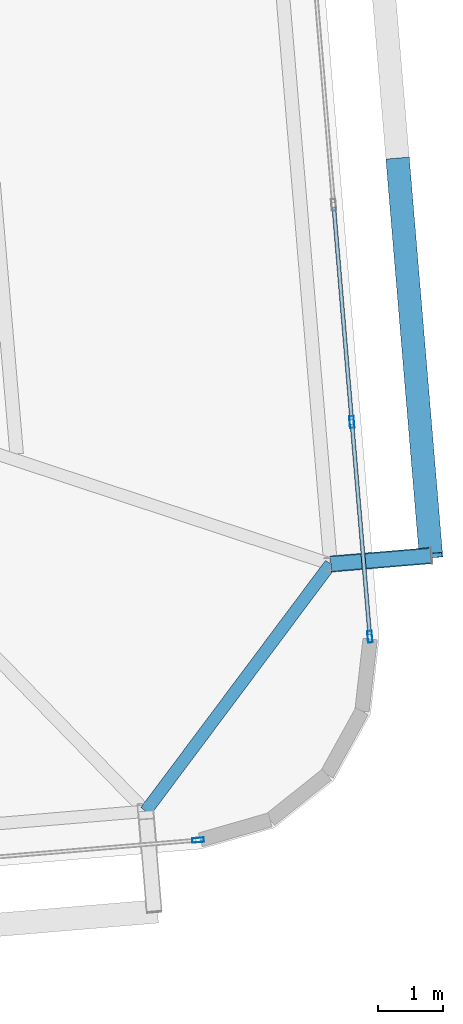
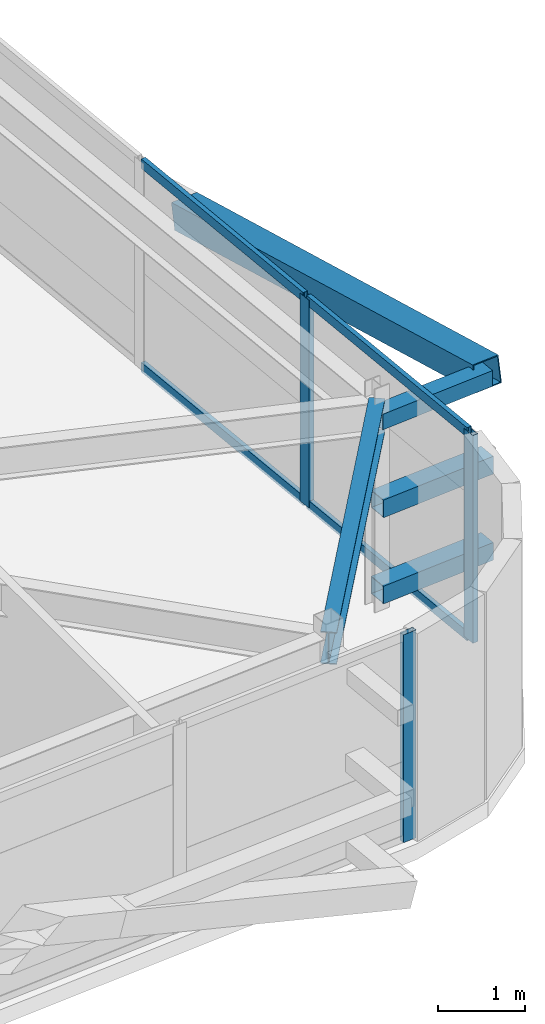
# One storey, part 22 of 46: 11 members, 1 beam, 2 elements without a shape of their own.
"""IFC4 building model written with IfcOpenShell, lengths in metres."""

from ifc_helpers import new_model, si_unit, direction, frame, origin, origin_2d, place, context, subcontext, project, spatial, hollow_rectangle, i_section, extrude, source, transform, mapped, material, layer, layer_set, material_profile, profile_set, type_object, element, aggregate, save


model = new_model("IFC4")

# Units and contexts
model_context = context("Model", 3, precision=1e-05, world=origin(), true_north=direction((0.0, 1.0)))
body_context = subcontext(model_context, "Body", "Model", "MODEL_VIEW")
ifc_project = project(units=[si_unit("LENGTHUNIT", "METRE"), si_unit("AREAUNIT", "SQUARE_METRE"), si_unit("VOLUMEUNIT", "CUBIC_METRE"), si_unit("PLANEANGLEUNIT", "RADIAN"), si_unit("MASSUNIT", "GRAM", prefix="KILO")], contexts=[model_context])

# Site, building, storey
site_placement = place(None, origin())
site = spatial("IfcSite", under=ifc_project, at=site_placement, CompositionType="ELEMENT")
building_placement = place(site_placement, origin())
building = spatial("IfcBuilding", under=site, at=building_placement, Name="Taldren Reach Tower", CompositionType="ELEMENT")
storey_placement = place(building_placement, frame((0.0, 0.0, 188.300048828125)))
storey = spatial("IfcBuildingStorey", under=building, at=storey_placement, Name="L57", CompositionType="ELEMENT", Elevation=188.300048828125)

# Beam
ifc_material_1 = material(Name="Steel Gr 350 (350PLUS)", Category="steel")
ifc_material_profile_1 = material_profile(ifc_material_1, i_section(OverallWidth=0.18994140625, OverallDepth=0.4541015625, WebThickness=0.008544921875, FlangeThickness=0.0126953125, at=origin_2d()), Name="460UB67.1")
ifc_profile_set_1 = profile_set([ifc_material_profile_1], Name="Steel Gr 350 (350PLUS)")
beam_type = type_object("IfcBeamType", Name="SP-UB460B", PredefinedType="SPANDREL", material=ifc_profile_set_1)
shared_shape_1 = source(origin(), body_context, "Body", "SweptSolid", [
    extrude(i_section(OverallWidth=0.18994140625, OverallDepth=0.4541015625, WebThickness=0.008544921875, FlangeThickness=0.0126953125, at=origin_2d()), origin(), (0.0, 0.0, 1.0), 4.746337890625),
])
beam_placement = place(storey_placement, frame((58.796142578125, 5.516357421875, 2.702880859375), z_axis=(0.598797715541, 0.800900303323, 0.0), x_axis=(-0.800900303323, 0.598797715541, 0.0)))
element("IfcBeam", 1, at=beam_placement, inside=storey, type_object=beam_type, Name="Perimeter spandrel B4 S6-E1 L57", PredefinedType="SPANDREL", context=body_context, shape_type="MappedRepresentation", body=[
    mapped(shared_shape_1, transform((0.0, 0.0, 0.0), scale=1.0)),
])

# Members
ifc_material_2 = material(Name="Steel Gr 450 (C450L0)", Category="steel")
ifc_material_profile_2 = material_profile(ifc_material_2, hollow_rectangle(XDim=0.219970703125, YDim=0.219970703125, WallThickness=0.00830078125, at=origin_2d()), Name="220x220x8.2SHS")
ifc_profile_set_2 = profile_set([ifc_material_profile_2], Name="Steel Gr 450 (C450L0)")
member_type_1 = type_object("IfcMemberType", Name="MB-TIE219", PredefinedType="STRUT", material=ifc_profile_set_2)
shared_shape_2 = source(origin(), body_context, "Body", "SweptSolid", [
    extrude(hollow_rectangle(XDim=0.219970703125, YDim=0.219970703125, WallThickness=0.00830078125, at=origin_2d()), origin(), (0.0, 0.0, 1.0), 1.545166015625),
])
member_1_placement = place(storey_placement, frame((61.642822265625, 9.31787109375, 2.64990234375), z_axis=(0.996487766615, 0.083738467783, 0.0), x_axis=(-0.083738467783, 0.996487766615, 0.0)))
element("IfcMember", 2, at=member_1_placement, inside=storey, type_object=member_type_1, Name="Exoskeleton diaphragm tie strut B4-E1 L57", PredefinedType="STRUT", context=body_context, shape_type="MappedRepresentation", body=[
    mapped(shared_shape_2, transform((0.0, 0.0, 0.0), scale=1.0)),
])
ifc_material_3 = material(Name="Steel Gr 350 (C350L0)", Category="steel")
ifc_material_profile_3 = material_profile(ifc_material_3, hollow_rectangle(XDim=0.25, YDim=0.25, WallThickness=0.010009765625, at=origin_2d()), Name="250x250x10.0SHS")
ifc_profile_set_3 = profile_set([ifc_material_profile_3], Name="Steel Gr 350 (C350L0)")
member_type_2 = type_object("IfcMemberType", Name="MB-POST250", PredefinedType="POST", material=ifc_profile_set_3)
shared_shape_3 = source(origin(), body_context, "Body", "SweptSolid", [
    extrude(hollow_rectangle(XDim=0.25, YDim=0.25, WallThickness=0.010009765625, at=origin_2d()), origin(), (0.0, 0.0, 1.0), 1.545166015625),
])
for number, where, z_axis, x_axis, name in (
    (3, (61.642822265625, 9.31787109375, 0.219970703125), (0.996487766615, 0.083738467783, 0.0), (-0.083738467783, 0.996487766615, 0.0), "Exoskeleton base diaphragm tie strut B4-E1 L57"),
    (4, (61.642822265625, 9.31787109375, 1.43505859375), (0.996487766615, 0.083738467783, 0.0), (-0.083738467783, 0.996487766615, 0.0), "Exoskeleton mid-tier diaphragm tie B4-E1 L57"),
):
    element("IfcMember", number, at=place(storey_placement, frame(where, z_axis=z_axis, x_axis=x_axis)), inside=storey, type_object=member_type_2, Name=name, PredefinedType="POST", context=body_context, shape_type="MappedRepresentation", body=[
        mapped(shared_shape_3, transform((0.0, 0.0, 0.0), scale=1.0)),
    ])
ifc_material_profile_4 = material_profile(ifc_material_2, hollow_rectangle(XDim=0.360107421875, YDim=0.360107421875, WallThickness=0.0126953125, at=origin_2d()), Name="360x360x12.7SHS")
ifc_profile_set_4 = profile_set([ifc_material_profile_4], Name="Steel Gr 450 (C450L0)")
member_type_3 = type_object("IfcMemberType", Name="MB-EXO356", PredefinedType="BRACE", material=ifc_profile_set_4)
shared_shape_4 = source(origin(), body_context, "Body", "SweptSolid", [
    extrude(hollow_rectangle(XDim=0.360107421875, YDim=0.360107421875, WallThickness=0.0126953125, at=origin_2d()), origin(), (0.0, 0.0, 1.0), 6.2197265625),
])
member_2_placement = place(storey_placement, frame((62.672119140625, 15.52587890625, 1.43505859375), z_axis=(0.082076194186, -0.977299417909, 0.19531857593), x_axis=(0.996492003099, 0.083688038336, 0.0)))
element("IfcMember", 5, at=member_2_placement, inside=storey, type_object=member_type_3, Name="Exoskeleton Diagrid Brace B4-E1 L57", PredefinedType="BRACE", context=body_context, shape_type="MappedRepresentation", body=[
    mapped(shared_shape_4, transform((0.0, 0.0, 0.0), scale=1.0)),
])

# Curtain wall, member
ifc_material_4 = material(Name="Aluminium and Low-E Glass Unitised System", Category="aluminium")
ifc_layer = layer(ifc_material_4, 0.159912109375)
ifc_layer_set = layer_set([ifc_layer], Name="Aluminium and Low-E Glass Unitised System")
curtain_wall_type = type_object("IfcCurtainWallType", Name="CW-SYS-5", PredefinedType="NOTDEFINED", material=ifc_layer_set)
curtain_wall_1_placement = place(storey_placement, origin())
curtain_wall_1 = element("IfcCurtainWall", 6, at=curtain_wall_1_placement, inside=storey, type_object=curtain_wall_type, Name="Unitised curtain wall CW-L57-S", PredefinedType="NOTDEFINED")
ifc_material_5 = material(Name="Anodised Aluminium 6063-T6", Category="aluminium")
ifc_material_profile_5 = material_profile(ifc_material_5, hollow_rectangle(XDim=0.070068359375, YDim=0.179931640625, WallThickness=0.00390625, at=origin_2d()), Name="ALU-180x70x4RHS")
ifc_profile_set_5 = profile_set([ifc_material_profile_5], Name="Anodised Aluminium 6063-T6")
member_type_4 = type_object("IfcMemberType", Name="CW-MUL-180", PredefinedType="MULLION", material=ifc_profile_set_5)
shared_shape_5 = source(origin(), body_context, "Body", "SweptSolid", [
    extrude(hollow_rectangle(XDim=0.070068359375, YDim=0.179931640625, WallThickness=0.00390625, at=origin_2d()), origin(), (0.0, 0.0, 1.0), 2.929931640625),
])
member_3_placement = place(storey_placement, frame((59.60107421875, 5.072265625, 0.0), z_axis=(0.0, 0.0, 1.0), x_axis=(-0.083677894865, 0.996492854922, 0.0)))
member_3 = element("IfcMember", 7, at=member_3_placement, type_object=member_type_4, Name="CW-5 mullion 14", PredefinedType="MULLION", context=body_context, shape_type="MappedRepresentation", body=[
    mapped(shared_shape_5, transform((0.0, 0.0, 0.0), scale=1.0)),
])
aggregate(curtain_wall_1, [member_3])

# Curtain wall, members
curtain_wall_2_placement = place(storey_placement, origin())
curtain_wall_2 = element("IfcCurtainWall", 8, at=curtain_wall_2_placement, inside=storey, type_object=curtain_wall_type, Name="Unitised curtain wall CW-L57-E", PredefinedType="NOTDEFINED")
member_4_placement = place(storey_placement, frame((62.243896484375, 8.199462890625, 0.0), z_axis=(0.0, 0.0, 1.0), x_axis=(-0.996492847789, -0.083677979808, 0.0)))
member_4 = element("IfcMember", 9, at=member_4_placement, type_object=member_type_4, Name="CW-5 mullion 1", PredefinedType="MULLION", context=body_context, shape_type="MappedRepresentation", body=[
    mapped(shared_shape_5, transform((0.0, 0.0, 0.0), scale=1.0)),
])
member_5_placement = place(storey_placement, frame((61.96630859375, 11.502685546875, 0.0), z_axis=(0.0, 0.0, 1.0), x_axis=(-0.996492847789, -0.083677979808, 0.0)))
member_5 = element("IfcMember", 10, at=member_5_placement, type_object=member_type_4, Name="CW-5 mullion 2", PredefinedType="MULLION", context=body_context, shape_type="MappedRepresentation", body=[
    mapped(shared_shape_5, transform((0.0, 0.0, 0.0), scale=1.0)),
])
ifc_material_profile_6 = material_profile(ifc_material_5, hollow_rectangle(XDim=0.06005859375, YDim=0.135009765625, WallThickness=0.00341796875, at=origin_2d()), Name="ALU-135x60x3.5RHS")
ifc_profile_set_6 = profile_set([ifc_material_profile_6], Name="Anodised Aluminium 6063-T6")
member_type_5 = type_object("IfcMemberType", Name="CW-TRN-150", PredefinedType="USERDEFINED", material=ifc_profile_set_6)
shared_shape_6 = source(origin(), body_context, "Body", "SweptSolid", [
    extrude(hollow_rectangle(XDim=0.06005859375, YDim=0.135009765625, WallThickness=0.00341796875, at=origin_2d()), origin(), (0.0, 0.0, 1.0), 3.2451171875),
])
member_6_placement = place(storey_placement, frame((62.240966796875, 8.234130859375, 0.030029296875), z_axis=(-0.083736584401, 0.996487924881, 0.0), x_axis=(-0.996487924881, -0.083736584401, 0.0)))
member_6 = element("IfcMember", 11, at=member_6_placement, type_object=member_type_5, Name="CW-5 transom 1.1", ObjectType="TRANSOM", PredefinedType="USERDEFINED", context=body_context, shape_type="MappedRepresentation", body=[
    mapped(shared_shape_6, transform((0.0, 0.0, 0.0), scale=1.0)),
])
member_7_placement = place(storey_placement, frame((62.240966796875, 8.234130859375, 2.89990234375), z_axis=(-0.083736584401, 0.996487924881, 0.0), x_axis=(-0.996487924881, -0.083736584401, 0.0)))
member_7 = element("IfcMember", 12, at=member_7_placement, type_object=member_type_5, Name="CW-5 transom 1.2", ObjectType="TRANSOM", PredefinedType="USERDEFINED", context=body_context, shape_type="MappedRepresentation", body=[
    mapped(shared_shape_6, transform((0.0, 0.0, 0.0), scale=1.0)),
])
shared_shape_7 = source(origin(), body_context, "Body", "SweptSolid", [
    extrude(hollow_rectangle(XDim=0.06005859375, YDim=0.135009765625, WallThickness=0.00341796875, at=origin_2d()), origin(), (0.0, 0.0, 1.0), 3.280029296875),
])
member_8_placement = place(storey_placement, frame((61.96337890625, 11.53759765625, 0.030029296875), z_axis=(-0.083661452101, 0.996494235524, 0.0), x_axis=(-0.996494235524, -0.083661452101, 0.0)))
member_8 = element("IfcMember", 13, at=member_8_placement, type_object=member_type_5, Name="CW-5 transom 2.1", ObjectType="TRANSOM", PredefinedType="USERDEFINED", context=body_context, shape_type="MappedRepresentation", body=[
    mapped(shared_shape_7, transform((0.0, 0.0, 0.0), scale=1.0)),
])
member_9_placement = place(storey_placement, frame((61.96337890625, 11.53759765625, 2.89990234375), z_axis=(-0.083661452101, 0.996494235524, 0.0), x_axis=(-0.996494235524, -0.083661452101, 0.0)))
member_9 = element("IfcMember", 14, at=member_9_placement, type_object=member_type_5, Name="CW-5 transom 2.2", ObjectType="TRANSOM", PredefinedType="USERDEFINED", context=body_context, shape_type="MappedRepresentation", body=[
    mapped(shared_shape_7, transform((0.0, 0.0, 0.0), scale=1.0)),
])
aggregate(curtain_wall_2, [member_4, member_5, member_6, member_7, member_8, member_9])

save(model, "model.ifc")
